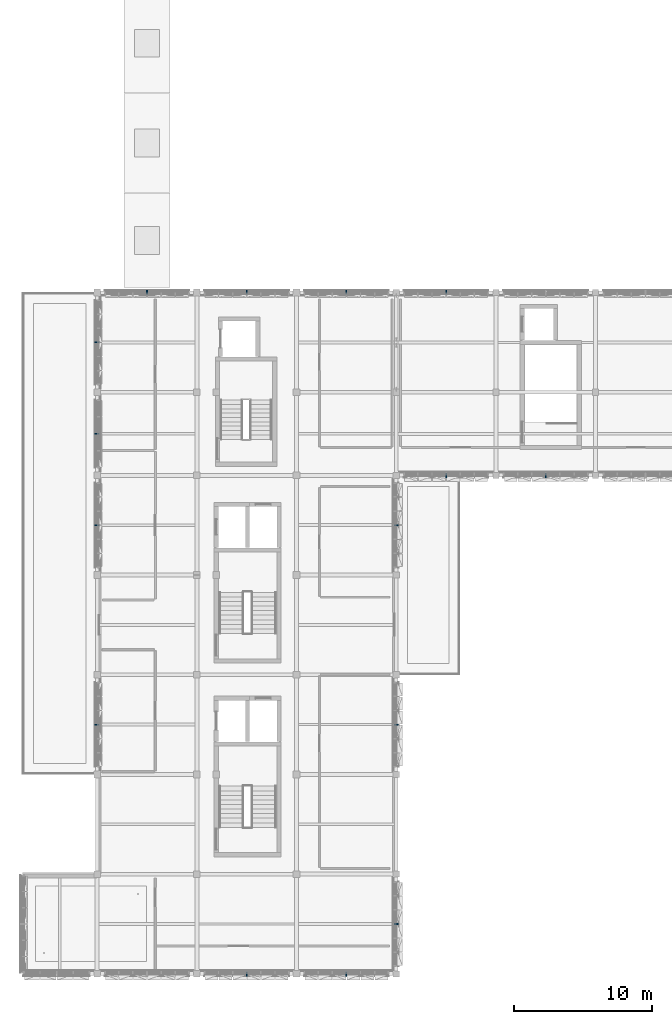
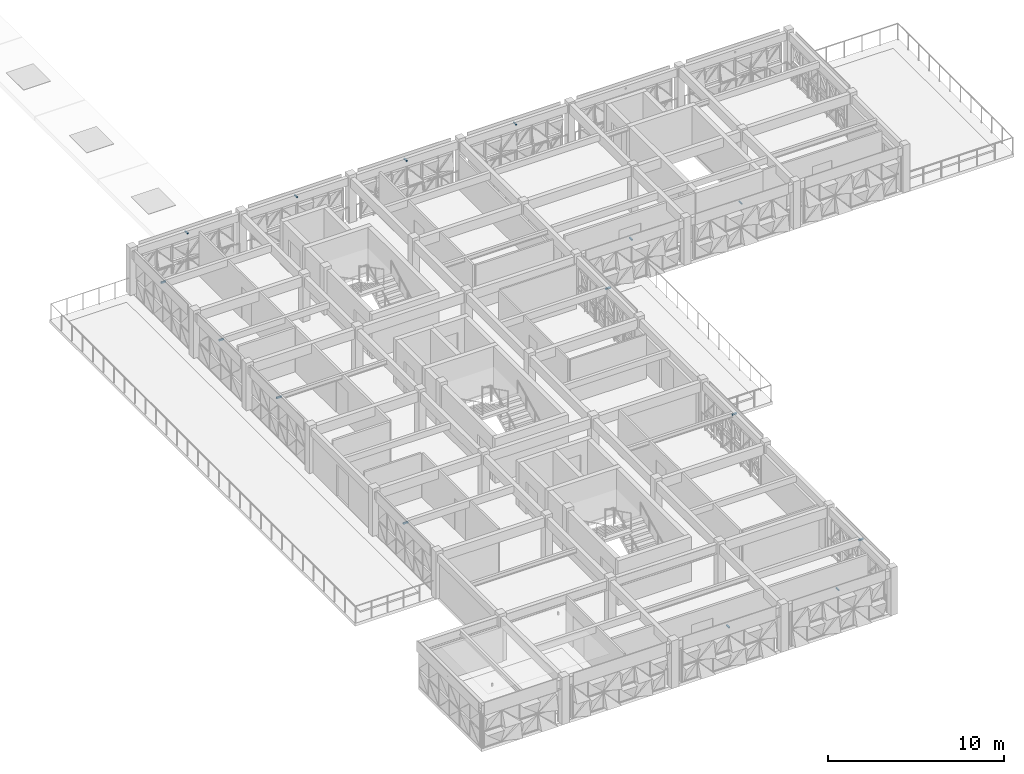
# One storey, part 26 of 35: 15 discrete accessories.
"""IFC4 building model written with IfcOpenShell, lengths in metres."""

from ifc_helpers import new_model, si_unit, direction, frame, origin, origin_2d, place, context, subcontext, project, spatial, rectangle, extrude, material, type_object, element, save


model = new_model("IFC4")

# Units and contexts
model_context = context("Model", 3, precision=1e-05, world=origin(), true_north=direction((0.0, 1.0)))
body_context = subcontext(model_context, "Body", "Model", "MODEL_VIEW")
ifc_project = project(units=[si_unit("LENGTHUNIT", "METRE"), si_unit("AREAUNIT", "SQUARE_METRE"), si_unit("VOLUMEUNIT", "CUBIC_METRE"), si_unit("PLANEANGLEUNIT", "RADIAN"), si_unit("MASSUNIT", "GRAM", prefix="KILO")], contexts=[model_context])

# Site, building, storey
site_placement = place(None, origin())
site = spatial("IfcSite", under=ifc_project, at=site_placement, CompositionType="ELEMENT")
building_placement = place(site_placement, origin())
building = spatial("IfcBuilding", under=site, at=building_placement, Name="Alvorim Cloister Faculty of Sciences", CompositionType="ELEMENT")
storey_placement = place(building_placement, frame((0.0, 0.0, 22.949951171875)))
storey = spatial("IfcBuildingStorey", under=building, at=storey_placement, Name="L06", CompositionType="ELEMENT", Elevation=22.949951171875)

# Discrete accessories
ifc_material = material(Name="Aluminium Alloy 6063-T6", Category="aluminium")
discrete_accessory_type = type_object("IfcDiscreteAccessoryType", Name="ACC-DIAG-BAR", PredefinedType="BRACKET", material=ifc_material)
for number, where, z_axis, x_axis, name in (
    (1, (7.340087890625, 25.199951171875, 2.925048828125), (-1.0, 0.0, 0.0), (0.0, -1.0, 0.0), "Slab-Edge Fascia Tie Bracket ACC-02643"),
    (2, (7.340087890625, 39.60009765625, 2.925048828125), (-1.0, 0.0, 0.0), (0.0, -1.0, 0.0), "Slab-Edge Fascia Tie Bracket ACC-02656"),
    (3, (7.340087890625, 46.199951171875, 2.925048828125), (-1.0, 0.0, 0.0), (0.0, -1.0, 0.0), "Slab-Edge Fascia Tie Bracket ACC-02665"),
    (4, (7.340087890625, 52.800048828125, 2.925048828125), (-1.0, 0.0, 0.0), (0.0, -1.0, 0.0), "Slab-Edge Fascia Tie Bracket ACC-02678"),
    (5, (10.800048828125, 56.260009765625, 2.925048828125), (0.0, 1.0, 0.0), (-1.0, 0.0, 0.0), "Slab-Edge Fascia Tie Bracket ACC-02691"),
    (6, (18.0, 56.260009765625, 2.925048828125), (0.0, 1.0, 0.0), (-1.0, 0.0, 0.0), "Slab-Edge Fascia Tie Bracket ACC-02704"),
    (7, (25.199951171875, 56.260009765625, 2.925048828125), (0.0, 1.0, 0.0), (-1.0, 0.0, 0.0), "Slab-Edge Fascia Tie Bracket ACC-02717"),
    (8, (32.39990234375, 56.260009765625, 2.925048828125), (0.0, 1.0, 0.0), (-1.0, 0.0, 0.0), "Slab-Edge Fascia Tie Bracket ACC-02730"),
    (9, (39.60009765625, 43.340087890625, 2.925048828125), (0.0, -1.0, 0.0), (1.0, 0.0, 0.0), "Slab-Edge Fascia Tie Bracket ACC-02795"),
    (10, (32.39990234375, 43.340087890625, 2.925048828125), (0.0, -1.0, 0.0), (1.0, 0.0, 0.0), "Slab-Edge Fascia Tie Bracket ACC-02808"),
    (11, (28.659912109375, 39.60009765625, 2.925048828125), (1.0, 0.0, 0.0), (0.0, 1.0, 0.0), "Slab-Edge Fascia Tie Bracket ACC-02821"),
    (12, (28.659912109375, 25.199951171875, 2.925048828125), (1.0, 0.0, 0.0), (0.0, 1.0, 0.0), "Slab-Edge Fascia Tie Bracket ACC-02834"),
    (13, (28.659912109375, 10.800048828125, 2.925048828125), (1.0, 0.0, 0.0), (0.0, 1.0, 0.0), "Slab-Edge Fascia Tie Bracket ACC-02847"),
    (14, (25.199951171875, 7.340087890625, 2.925048828125), (0.0, -1.0, 0.0), (1.0, 0.0, 0.0), "Slab-Edge Fascia Tie Bracket ACC-02860"),
    (15, (18.0, 7.340087890625, 2.85302734375), (0.0, -1.0, 0.0), (1.0, 0.0, 0.0), "Slab-Edge Fascia Tie Bracket ACC-02873"),
):
    element("IfcDiscreteAccessory", number, at=place(storey_placement, frame(where, z_axis=z_axis, x_axis=x_axis)), inside=storey, type_object=discrete_accessory_type, Name=name, PredefinedType="BRACKET", context=body_context, shape_type="SweptSolid", body=[
        extrude(rectangle(XDim=0.080078125, YDim=0.080078125, at=origin_2d()), origin(), (0.0, 0.0, 1.0), 0.300048828125),
    ])

save(model, "model.ifc")
